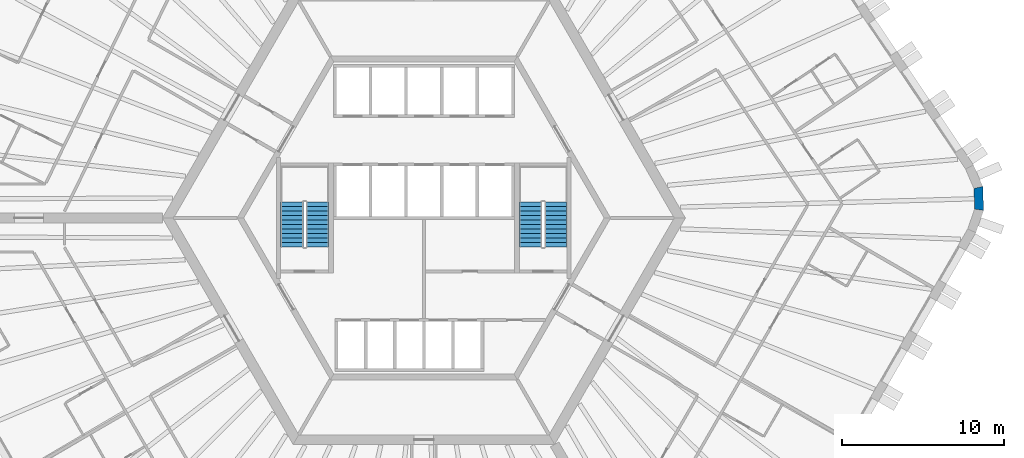
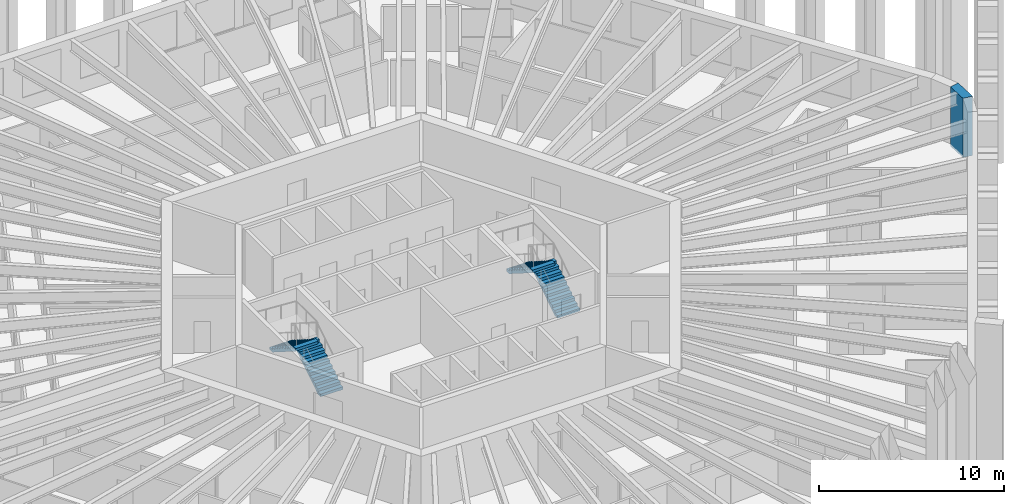
# One storey, part 11 of 13: 4 stair flights, 1 wall, 2 elements without a shape of their own.
"""IFC4 building model written with IfcOpenShell, lengths in metres."""

import ifcopenshell
import ifcopenshell.guid

model = None  # the IFC model being written
_history = None  # IfcOwnerHistory: only IFC2X3 demands one
_inside = {}  # id of a spatial element -> (the spatial element, [elements in it])
_under = {}  # id of a project, library or spatial element -> (it, [spatial elements below it])
_declared = {}  # id of a project -> (the project, [libraries it declares])
_typed = {}  # id of a type object -> (the type object, [elements of that type])
_made_of = {}  # id of a material, layer set ... -> (it, [elements and type objects made of it])


def new_model(schema):
    """Start an empty IFC model of exactly this schema.

    Asked for "IFC4X3", IfcOpenShell would pick the latest addendum, in which some entities
    have other attributes; the version numbers below select the first issue.
    IFC2X3 requires an IfcOwnerHistory on every rooted entity: one is made here for all.
    """
    global model, _history
    if schema == "IFC4X3":
        model = ifcopenshell.file(schema_version=(4, 3, 0, 0))
    else:
        model = ifcopenshell.file(schema=schema)
    _inside.clear()
    _under.clear()
    _declared.clear()
    _typed.clear()
    _made_of.clear()
    _history = None
    if model.schema == "IFC2X3":
        org = make("IfcOrganization", Name="unknown")
        user = make(
            "IfcPersonAndOrganization",
            ThePerson=make("IfcPerson", FamilyName="unknown"),
            TheOrganization=org,
        )
        app = make(
            "IfcApplication",
            ApplicationDeveloper=org,
            Version="unknown",
            ApplicationFullName="unknown",
            ApplicationIdentifier="unknown",
        )
        _history = make(
            "IfcOwnerHistory",
            OwningUser=user,
            OwningApplication=app,
            ChangeAction="ADDED",
            CreationDate=0,
        )
    return model


def make(cls, **values):
    """One entity of the class cls with the attributes given. An attribute that is None is left unset."""
    return model.create_entity(
        cls, **{name: value for name, value in values.items() if value is not None}
    )


def rooted(cls, **values):
    """An entity with a GlobalId (a new one), such as an element, a storey or a relation."""
    return make(cls, GlobalId=ifcopenshell.guid.new(), OwnerHistory=_history, **values)


def si_unit(unit_type, name, prefix=None):
    """IfcSIUnit, for example si_unit("LENGTHUNIT", "METRE", prefix="MILLI")."""
    return make("IfcSIUnit", UnitType=unit_type, Prefix=prefix, Name=name)


def assignment(units):
    """IfcUnitAssignment: the units of a project."""
    return None if units is None else make("IfcUnitAssignment", Units=units)


def point(xyz):
    """IfcCartesianPoint."""
    return None if xyz is None else make("IfcCartesianPoint", Coordinates=xyz)


def direction(xyz):
    """IfcDirection."""
    return None if xyz is None else make("IfcDirection", DirectionRatios=xyz)


def frame(location, z_axis=None, x_axis=None):
    """IfcAxis2Placement3D, a coordinate frame: its origin and axes. An axis left out is left unset."""
    return make(
        "IfcAxis2Placement3D",
        Location=point(location),
        Axis=direction(z_axis),
        RefDirection=direction(x_axis),
    )


def origin():
    """The frame at (0, 0, 0) with its axes left unset."""
    return frame((0.0, 0.0, 0.0))


def place(relative_to, where):
    """IfcLocalPlacement: puts the frame where relative to a parent placement (None: the world)."""
    return make(
        "IfcLocalPlacement", PlacementRelTo=relative_to, RelativePlacement=where
    )


def context(
    kind, dimensions, precision=None, world=None, true_north=None, identifier=None
):
    """IfcGeometricRepresentationContext, for example the 3D "Model" context."""
    return make(
        "IfcGeometricRepresentationContext",
        ContextIdentifier=identifier,
        ContextType=kind,
        CoordinateSpaceDimension=dimensions,
        Precision=precision,
        WorldCoordinateSystem=world,
        TrueNorth=true_north,
    )


def subcontext(parent, identifier, kind, view, scale=None):
    """IfcGeometricRepresentationSubContext, for example "Body" below "Model"."""
    return make(
        "IfcGeometricRepresentationSubContext",
        ContextIdentifier=identifier,
        ContextType=kind,
        ParentContext=parent,
        TargetScale=scale,
        TargetView=view,
    )


def project(units=None, contexts=None):
    """IfcProject with its units and contexts."""
    return rooted(
        "IfcProject",
        Name="project",
        RepresentationContexts=contexts,
        UnitsInContext=assignment(units),
    )


def spatial(cls, under=None, at=None, **own):
    """A site, building, storey or space (cls), placed at a placement, below another one or the project."""
    s = rooted(cls, ObjectPlacement=at, **own)
    if under is not None:
        _under.setdefault(under.id(), (under, []))[1].append(s)
    return s


def polyline(points):
    """IfcPolyline through the points."""
    return make("IfcPolyline", Points=[point(p) for p in points])


def outline(outer, holes=None, kind="AREA"):
    """IfcArbitraryClosedProfileDef: a profile drawn as a closed curve; with holes, ...WithVoids."""
    if holes is None:
        return make("IfcArbitraryClosedProfileDef", ProfileType=kind, OuterCurve=outer)
    return make(
        "IfcArbitraryProfileDefWithVoids",
        ProfileType=kind,
        OuterCurve=outer,
        InnerCurves=holes,
    )


def extrude(swept, where, along, depth):
    """IfcExtrudedAreaSolid: the profile swept, set in the frame where, extruded along a direction by depth."""
    return make(
        "IfcExtrudedAreaSolid",
        SweptArea=swept,
        Position=where,
        ExtrudedDirection=direction(along),
        Depth=depth,
    )


def shape(context_of_items, identifier, shape_type, items):
    """IfcShapeRepresentation: the items that make up one representation, for example the "Body"."""
    return make(
        "IfcShapeRepresentation",
        ContextOfItems=context_of_items,
        RepresentationIdentifier=identifier,
        RepresentationType=shape_type,
        Items=items,
    )


def material(Name=None, Category=None):
    """IfcMaterial."""
    return make("IfcMaterial", Name=Name, Category=Category)


def layer(
    of_material, thickness, ventilated=None, Name=None, Category=None, Priority=None
):
    """IfcMaterialLayer: one layer of a wall or slab, of a material (None: an air gap)."""
    return make(
        "IfcMaterialLayer",
        Material=of_material,
        LayerThickness=thickness,
        IsVentilated=ventilated,
        Name=Name,
        Category=Category,
        Priority=Priority,
    )


def layer_set(layers, Name=None):
    """IfcMaterialLayerSet."""
    return make("IfcMaterialLayerSet", MaterialLayers=layers, LayerSetName=Name)


def made_of(thing, what):
    """Note that an element or type object is made of a material, layer set ...; save() writes the relation."""
    if what is not None:
        _made_of.setdefault(what.id(), (what, []))[1].append(thing)
    return thing


def type_object(cls, material=None, **own):
    """A type object (cls), such as IfcWallType, which elements share."""
    return made_of(rooted(cls, **own), material)


def element(
    cls,
    number,
    at=None,
    inside=None,
    cuts=None,
    type_object=None,
    material=None,
    context=None,
    identifier="Body",
    shape_type=None,
    held_by="IfcProductDefinitionShape",
    body=None,
    shapes=None,
    **own,
):
    """One element of the class cls, such as IfcWall. Its Tag is "e" and its number.

    at: its placement. inside: the storey or other place that contains it. cuts: it is an
    opening in that element (IfcRelVoidsElement). A single representation is given by context,
    identifier, shape_type and body (its items); several are given by shapes. held_by: the class
    of the entity that holds the representations. save() writes the other relations.
    """
    e = rooted(cls, Tag="e%d" % number, ObjectPlacement=at, **own)
    if body is not None:
        shapes = [shape(context, identifier, shape_type, body)]
    if shapes is not None:
        e.Representation = make(held_by, Representations=shapes)
    if inside is not None:
        _inside.setdefault(inside.id(), (inside, []))[1].append(e)
    if cuts is not None:
        rooted(
            "IfcRelVoidsElement", RelatingBuildingElement=cuts, RelatedOpeningElement=e
        )
    if type_object is not None:
        _typed.setdefault(type_object.id(), (type_object, []))[1].append(e)
    return made_of(e, material)


def aggregate(whole, parts):
    """IfcRelAggregates: a whole, such as a stair, and the parts it consists of."""
    return rooted("IfcRelAggregates", RelatingObject=whole, RelatedObjects=parts)


def save(model, path):
    """Write the relations noted so far, then the file.

    IfcRelAggregates (storeys below a building ...), IfcRelContainedInSpatialStructure (elements
    in a storey), IfcRelDefinesByType, IfcRelAssociatesMaterial and IfcRelDeclares: one each for
    every whole, place, type object, material and project.
    """
    for whole, parts in _under.values():
        aggregate(whole, parts)
    for where, things in _inside.values():
        rooted(
            "IfcRelContainedInSpatialStructure",
            RelatedElements=things,
            RelatingStructure=where,
        )
    for kind, things in _typed.values():
        rooted("IfcRelDefinesByType", RelatedObjects=things, RelatingType=kind)
    for what, things in _made_of.values():
        rooted("IfcRelAssociatesMaterial", RelatedObjects=things, RelatingMaterial=what)
    for by, libraries in _declared.values():
        rooted("IfcRelDeclares", RelatingContext=by, RelatedDefinitions=libraries)
    model.write(path)


model = new_model("IFC4")

# Units and contexts
model_context = context("Model", 3, precision=1e-05, world=origin(), true_north=direction((0.0, 1.0)))
body_context = subcontext(model_context, "Body", "Model", "MODEL_VIEW")
ifc_project = project(units=[si_unit("LENGTHUNIT", "METRE"), si_unit("AREAUNIT", "SQUARE_METRE"), si_unit("VOLUMEUNIT", "CUBIC_METRE"), si_unit("PLANEANGLEUNIT", "RADIAN"), si_unit("MASSUNIT", "GRAM", prefix="KILO")], contexts=[model_context])

# Site, building, storey
site_placement = place(None, origin())
site = spatial("IfcSite", under=ifc_project, at=site_placement, CompositionType="ELEMENT")
building_placement = place(site_placement, origin())
building = spatial("IfcBuilding", under=site, at=building_placement, Name="Tarnside Tower", CompositionType="ELEMENT")
storey_placement = place(building_placement, frame((0.0, 0.0, 68.699951171875)))
storey = spatial("IfcBuildingStorey", under=building, at=storey_placement, Name="L14", CompositionType="ELEMENT", Elevation=68.699951171875)

# Wall
ifc_material_1 = material(Name="Facing brick", Category="masonry")
ifc_layer_1 = layer(ifc_material_1, 0.10205078125)
ifc_material_2 = material(Name="Concrete C60/75 precast", Category="concrete")
ifc_layer_2 = layer(ifc_material_2, 0.347900390625)
ifc_material_3 = material(Name="Mineral wool insulation")
ifc_layer_3 = layer(ifc_material_3, 0.10009765625)
ifc_layer_set = layer_set([ifc_layer_1, ifc_layer_2, ifc_layer_3], Name="Tube wall 550 brick faced")
wall_type = type_object("IfcWallType", Name="Tube wall 550 brick faced", PredefinedType="SOLIDWALL", material=ifc_layer_set)
wall_placement = place(storey_placement, frame((34.322509765625, 0.508544921875, -0.14990234375), z_axis=(0.0, 0.0, 1.0), x_axis=(-0.034876908462, 0.999391615562, 0.0)))
element("IfcWall", 1, at=wall_placement, inside=storey, type_object=wall_type, Name="Tube wall L14 F5 chord 18", PredefinedType="SOLIDWALL", context=body_context, shape_type="SweptSolid", body=[
    extrude(outline(polyline([(-0.0517578125, -0.27490234375), (1.4306640625, -0.27490234375), (1.3271484375, 0.27490234375), (0.0517578125, 0.27490234375), (-0.0517578125, -0.27490234375)])), origin(), (0.0, 0.0, 1.0), 3.89990234375),
])

# Stair, stair flights
ifc_material_4 = material(Name="Concrete C40/50", Category="concrete")
stair_type = type_object("IfcStairType", Name="Exit stair 1400 clear", PredefinedType="HALF_TURN_STAIR", material=ifc_material_4)
stair_1_placement = place(storey_placement, origin())
stair_1 = element("IfcStair", 2, at=stair_1_placement, inside=storey, type_object=stair_type, Name="L14 Exit stair 1", PredefinedType="HALF_TURN_STAIR")
stair_flight_type = type_object("IfcStairFlightType", Name="Exit stair flight 1400", PredefinedType="STRAIGHT", material=ifc_material_4)
stair_flight_1_placement = place(storey_placement, frame((8.14990234375, -1.800048828125, 0.0), z_axis=(0.0, 0.0, 1.0), x_axis=(0.0, 1.0, 0.0)))
stair_flight_1 = element("IfcStairFlight", 3, at=stair_flight_1_placement, type_object=stair_flight_type, Name="ST1 flight 1", NumberOfRisers=11, NumberOfTreads=10, PredefinedType="STRAIGHT", RiserHeight=0.177272727, TreadLength=0.28, context=body_context, shape_type="SweptSolid", body=[
    extrude(outline(polyline([(0.0, 0.0), (0.0, 0.17724609375), (0.280029296875, 0.17724609375), (0.280029296875, 0.3544921875), (0.56005859375, 0.3544921875), (0.56005859375, 0.53173828125), (0.840087890625, 0.53173828125), (0.840087890625, 0.708984375), (1.1201171875, 0.708984375), (1.1201171875, 0.886474609375), (1.39990234375, 0.886474609375), (1.39990234375, 1.063720703125), (1.679931640625, 1.063720703125), (1.679931640625, 1.240966796875), (1.9599609375, 1.240966796875), (1.9599609375, 1.418212890625), (2.239990234375, 1.418212890625), (2.239990234375, 1.595458984375), (2.52001953125, 1.595458984375), (2.52001953125, 1.772705078125), (2.800048828125, 1.772705078125), (2.800048828125, 1.949951171875), (2.800048828125, 1.59521484375), (0.2802734375, 0.0), (0.0, 0.0)])), frame((0.0, 0.699951171875, 0.0), z_axis=(0.0, -1.0, 0.0), x_axis=(1.0, 0.0, 0.0)), (0.0, 0.0, 1.0), 1.39990234375),
])
stair_flight_2_placement = place(storey_placement, frame((6.60009765625, 1.0, 1.949951171875), z_axis=(0.0, 0.0, 1.0), x_axis=(0.0, -1.0, 0.0)))
stair_flight_2 = element("IfcStairFlight", 4, at=stair_flight_2_placement, type_object=stair_flight_type, Name="ST1 flight 2", NumberOfRisers=11, NumberOfTreads=10, PredefinedType="STRAIGHT", RiserHeight=0.177272727, TreadLength=0.28, context=body_context, shape_type="SweptSolid", body=[
    extrude(outline(polyline([(0.0, 0.0), (0.0, 0.17724609375), (0.280029296875, 0.17724609375), (0.280029296875, 0.3544921875), (0.56005859375, 0.3544921875), (0.56005859375, 0.53173828125), (0.840087890625, 0.53173828125), (0.840087890625, 0.708984375), (1.1201171875, 0.708984375), (1.1201171875, 0.886474609375), (1.39990234375, 0.886474609375), (1.39990234375, 1.063720703125), (1.679931640625, 1.063720703125), (1.679931640625, 1.240966796875), (1.9599609375, 1.240966796875), (1.9599609375, 1.418212890625), (2.239990234375, 1.418212890625), (2.239990234375, 1.595458984375), (2.52001953125, 1.595458984375), (2.52001953125, 1.772705078125), (2.800048828125, 1.772705078125), (2.800048828125, 1.949951171875), (2.800048828125, 1.59521484375), (0.2802734375, 0.0), (0.0, 0.0)])), frame((0.0, 0.699951171875, 0.0), z_axis=(0.0, -1.0, 0.0), x_axis=(1.0, 0.0, 0.0)), (0.0, 0.0, 1.0), 1.39990234375),
])
aggregate(stair_1, [stair_flight_1, stair_flight_2])

stair_2_placement = place(storey_placement, origin())
stair_2 = element("IfcStair", 5, at=stair_2_placement, inside=storey, type_object=stair_type, Name="L14 Exit stair 2", PredefinedType="HALF_TURN_STAIR")
stair_flight_3_placement = place(storey_placement, frame((-6.60009765625, -1.800048828125, 0.0), z_axis=(0.0, 0.0, 1.0), x_axis=(0.0, 1.0, 0.0)))
stair_flight_3 = element("IfcStairFlight", 6, at=stair_flight_3_placement, type_object=stair_flight_type, Name="ST2 flight 1", NumberOfRisers=11, NumberOfTreads=10, PredefinedType="STRAIGHT", RiserHeight=0.177272727, TreadLength=0.28, context=body_context, shape_type="SweptSolid", body=[
    extrude(outline(polyline([(0.0, 0.0), (0.0, 0.17724609375), (0.280029296875, 0.17724609375), (0.280029296875, 0.3544921875), (0.56005859375, 0.3544921875), (0.56005859375, 0.53173828125), (0.840087890625, 0.53173828125), (0.840087890625, 0.708984375), (1.1201171875, 0.708984375), (1.1201171875, 0.886474609375), (1.39990234375, 0.886474609375), (1.39990234375, 1.063720703125), (1.679931640625, 1.063720703125), (1.679931640625, 1.240966796875), (1.9599609375, 1.240966796875), (1.9599609375, 1.418212890625), (2.239990234375, 1.418212890625), (2.239990234375, 1.595458984375), (2.52001953125, 1.595458984375), (2.52001953125, 1.772705078125), (2.800048828125, 1.772705078125), (2.800048828125, 1.949951171875), (2.800048828125, 1.59521484375), (0.2802734375, 0.0), (0.0, 0.0)])), frame((0.0, 0.699951171875, 0.0), z_axis=(0.0, -1.0, 0.0), x_axis=(1.0, 0.0, 0.0)), (0.0, 0.0, 1.0), 1.39990234375),
])
stair_flight_4_placement = place(storey_placement, frame((-8.14990234375, 1.0, 1.949951171875), z_axis=(0.0, 0.0, 1.0), x_axis=(0.0, -1.0, 0.0)))
stair_flight_4 = element("IfcStairFlight", 7, at=stair_flight_4_placement, type_object=stair_flight_type, Name="ST2 flight 2", NumberOfRisers=11, NumberOfTreads=10, PredefinedType="STRAIGHT", RiserHeight=0.177272727, TreadLength=0.28, context=body_context, shape_type="SweptSolid", body=[
    extrude(outline(polyline([(0.0, 0.0), (0.0, 0.17724609375), (0.280029296875, 0.17724609375), (0.280029296875, 0.3544921875), (0.56005859375, 0.3544921875), (0.56005859375, 0.53173828125), (0.840087890625, 0.53173828125), (0.840087890625, 0.708984375), (1.1201171875, 0.708984375), (1.1201171875, 0.886474609375), (1.39990234375, 0.886474609375), (1.39990234375, 1.063720703125), (1.679931640625, 1.063720703125), (1.679931640625, 1.240966796875), (1.9599609375, 1.240966796875), (1.9599609375, 1.418212890625), (2.239990234375, 1.418212890625), (2.239990234375, 1.595458984375), (2.52001953125, 1.595458984375), (2.52001953125, 1.772705078125), (2.800048828125, 1.772705078125), (2.800048828125, 1.949951171875), (2.800048828125, 1.59521484375), (0.2802734375, 0.0), (0.0, 0.0)])), frame((0.0, 0.699951171875, 0.0), z_axis=(0.0, -1.0, 0.0), x_axis=(1.0, 0.0, 0.0)), (0.0, 0.0, 1.0), 1.39990234375),
])
aggregate(stair_2, [stair_flight_3, stair_flight_4])

save(model, "model.ifc")
